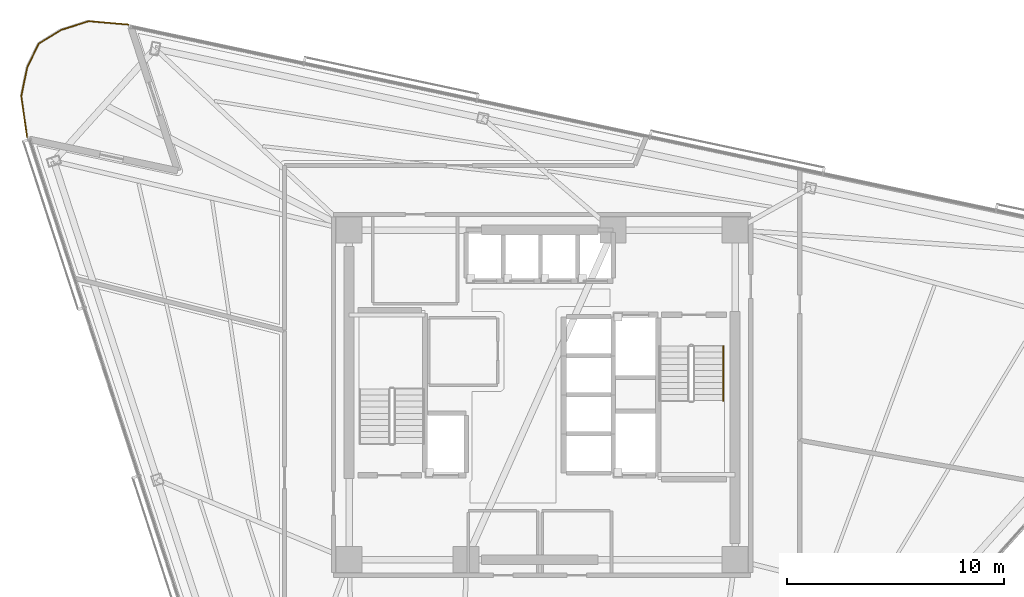
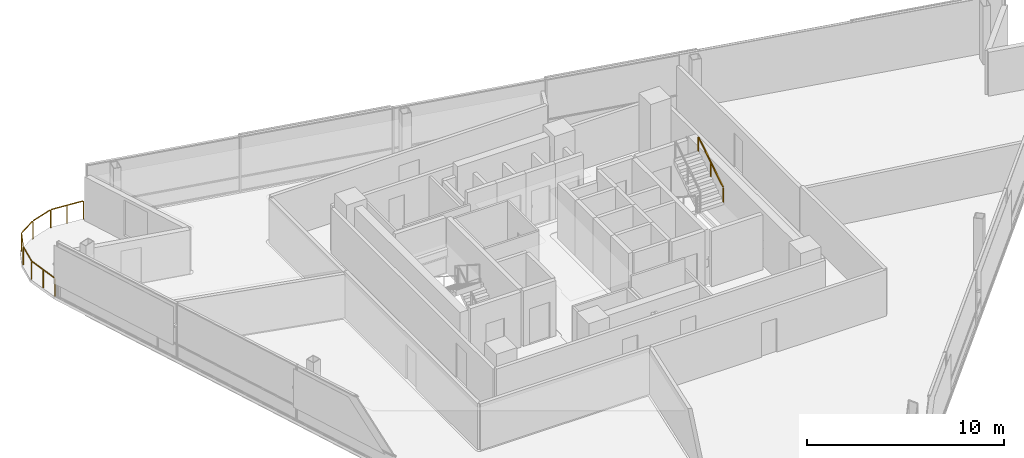
# One storey, part 16 of 16: 2 railings.
"""IFC4 building model written with IfcOpenShell, lengths in metres."""

from ifc_helpers import new_model, si_unit, direction, frame, origin, origin_2d, place, context, subcontext, project, spatial, rectangle, extrude, material, type_object, element, save


model = new_model("IFC4")

# Units and contexts
model_context = context("Model", 3, precision=1e-05, world=origin(), true_north=direction((0.0, 1.0)))
body_context = subcontext(model_context, "Body", "Model", "MODEL_VIEW")
ifc_project = project(units=[si_unit("LENGTHUNIT", "METRE"), si_unit("AREAUNIT", "SQUARE_METRE"), si_unit("VOLUMEUNIT", "CUBIC_METRE"), si_unit("PLANEANGLEUNIT", "RADIAN"), si_unit("MASSUNIT", "GRAM", prefix="KILO")], contexts=[model_context])

# Site, building, storey
site_placement = place(None, origin())
site = spatial("IfcSite", under=ifc_project, at=site_placement, CompositionType="ELEMENT")
building_placement = place(site_placement, origin())
building = spatial("IfcBuilding", under=site, at=building_placement, Name="Tharavind Bronze Gate", CompositionType="ELEMENT")
storey_placement = place(building_placement, frame((0.0, 0.0, 211.25)))
storey = spatial("IfcBuildingStorey", under=building, at=storey_placement, Name="L54", CompositionType="ELEMENT", Elevation=211.25)

# Railings
ifc_material_1 = material(Name="Brushed Bronze Alloy", Category="metal")
railing_type_1 = type_object("IfcRailingType", Name="STAIR BRONZE HANDRAIL 900", PredefinedType="HANDRAIL", material=ifc_material_1)
railing_1_placement = place(storey_placement, frame((8.35009765625, -0.27001953125, 1.97998046875)))
element("IfcRailing", 1, at=railing_1_placement, inside=storey, type_object=railing_type_1, Name="L54 ST2 stair handrail 2", PredefinedType="HANDRAIL", context=body_context, shape_type="SweptSolid", body=[
    extrude(rectangle(XDim=0.048095703125, YDim=0.048095703125, at=origin_2d()), frame((0.0, 0.02685546875, 0.89306640625), z_axis=(0.0, 0.841162588446, 0.540782303519), x_axis=(-1.0, 0.0, 0.0)), (0.0, 0.0, 1.0), 2.931884765625),
    extrude(rectangle(XDim=0.0400390625, YDim=0.0400390625, at=origin_2d()), origin(), (0.0, 0.0, 1.0), 0.847900390625),
    extrude(rectangle(XDim=0.0400390625, YDim=0.0400390625, at=origin_2d()), frame((0.0, 1.260009765625, 0.81005859375)), (0.0, 0.0, 1.0), 0.847900390625),
    extrude(rectangle(XDim=0.0400390625, YDim=0.0400390625, at=origin_2d()), frame((0.0, 2.52001953125, 1.6201171875)), (0.0, 0.0, 1.0), 0.847900390625),
])
ifc_material_2 = material(Name="Bronze Cap & Laminated Glass", Category="glass")
railing_type_2 = type_object("IfcRailingType", Name="TERRACE GLASS GUARD RAILING 1150", PredefinedType="GUARDRAIL", material=ifc_material_2)
railing_2_placement = place(storey_placement, frame((-23.7490234375, 11.887451171875, 0.0)))
element("IfcRailing", 2, at=railing_2_placement, inside=storey, type_object=railing_type_2, Name="L54 tree balcony guard railing", PredefinedType="GUARDRAIL", context=body_context, shape_type="SweptSolid", body=[
    extrude(rectangle(XDim=0.048095703125, YDim=0.048095703125, at=origin_2d()), frame((-0.00439453125, 0.03173828125, 1.1259765625), z_axis=(-0.1396808932, 0.990196570422, 0.0), x_axis=(-0.990196570422, -0.1396808932, 0.0)), (0.0, 0.0, 1.0), 1.841064453125),
    extrude(rectangle(XDim=0.048095703125, YDim=0.048095703125, at=origin_2d()), frame((-0.259765625, 1.917724609375, 1.1259765625), z_axis=(0.201091111257, 0.979572541966, 0.0), x_axis=(-0.979572541966, 0.201091111257, 0.0)), (0.0, 0.0, 1.0), 1.284912109375),
    extrude(rectangle(XDim=0.048095703125, YDim=0.048095703125, at=origin_2d()), frame((0.01904296875, 3.236572265625, 1.1259765625), z_axis=(0.435566196468, 0.900156702188, 0.0), x_axis=(-0.900156702188, 0.435566196468, 0.0)), (0.0, 0.0, 1.0), 1.147216796875),
    extrude(rectangle(XDim=0.048095703125, YDim=0.048095703125, at=origin_2d()), frame((0.559814453125, 4.31494140625, 1.1259765625), z_axis=(0.849714893769, 0.527242448316, 0.0), x_axis=(-0.527242448316, 0.849714893769, 0.0)), (0.0, 0.0, 1.0), 1.1474609375),
    extrude(rectangle(XDim=0.048095703125, YDim=0.048095703125, at=origin_2d()), frame((1.592529296875, 4.946533203125, 1.1259765625), z_axis=(0.953163202503, 0.302456458675, 0.0), x_axis=(-0.302456458675, 0.953163202503, 0.0)), (0.0, 0.0, 1.0), 1.284912109375),
    extrude(rectangle(XDim=0.048095703125, YDim=0.048095703125, at=origin_2d()), frame((2.879638671875, 5.342041015625, 1.1259765625), z_axis=(0.996289002034, -0.086071042903, 0.0), x_axis=(0.086071042903, 0.996289002034, 0.0)), (0.0, 0.0, 1.0), 1.765625),
    extrude(rectangle(XDim=0.0400390625, YDim=0.0400390625, at=origin_2d()), origin(), (0.0, 0.0, 1.0), 1.097900390625),
    extrude(rectangle(XDim=0.0400390625, YDim=0.0400390625, at=origin_2d()), frame((-0.133056640625, 0.943359375, 0.0)), (0.0, 0.0, 1.0), 1.097900390625),
    extrude(rectangle(XDim=0.0400390625, YDim=0.0400390625, at=origin_2d()), frame((-0.26611328125, 1.886474609375, 0.0)), (0.0, 0.0, 1.0), 1.097900390625),
    extrude(rectangle(XDim=0.0400390625, YDim=0.0400390625, at=origin_2d()), frame((0.005126953125, 3.207763671875, 0.0)), (0.0, 0.0, 1.0), 1.097900390625),
    extrude(rectangle(XDim=0.0400390625, YDim=0.0400390625, at=origin_2d()), frame((0.53271484375, 4.298095703125, 0.0)), (0.0, 0.0, 1.0), 1.097900390625),
    extrude(rectangle(XDim=0.0400390625, YDim=0.0400390625, at=origin_2d()), frame((1.56201171875, 4.936767578125, 0.0)), (0.0, 0.0, 1.0), 1.097900390625),
    extrude(rectangle(XDim=0.0400390625, YDim=0.0400390625, at=origin_2d()), frame((2.84765625, 5.3447265625, 0.0)), (0.0, 0.0, 1.0), 1.097900390625),
    extrude(rectangle(XDim=0.0400390625, YDim=0.0400390625, at=origin_2d()), frame((3.759033203125, 5.26611328125, 0.0)), (0.0, 0.0, 1.0), 1.097900390625),
    extrude(rectangle(XDim=0.0400390625, YDim=0.0400390625, at=origin_2d()), frame((4.67041015625, 5.187255859375, 0.0)), (0.0, 0.0, 1.0), 1.097900390625),
])

save(model, "model.ifc")
